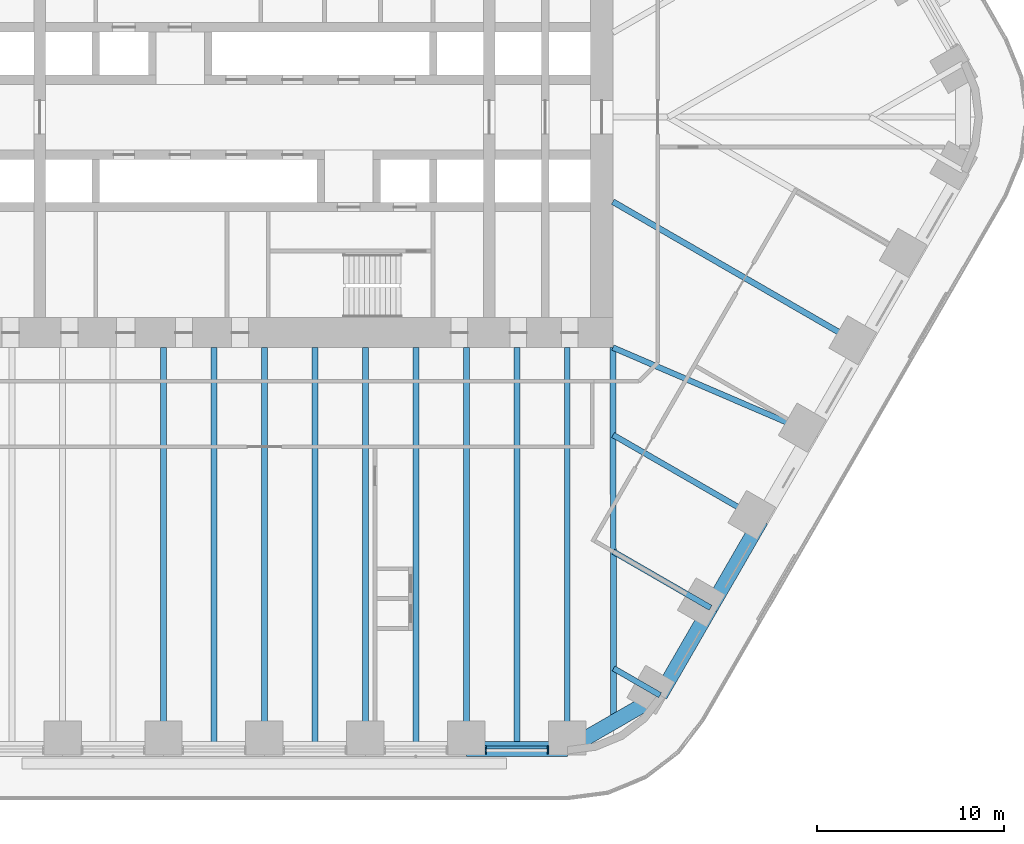
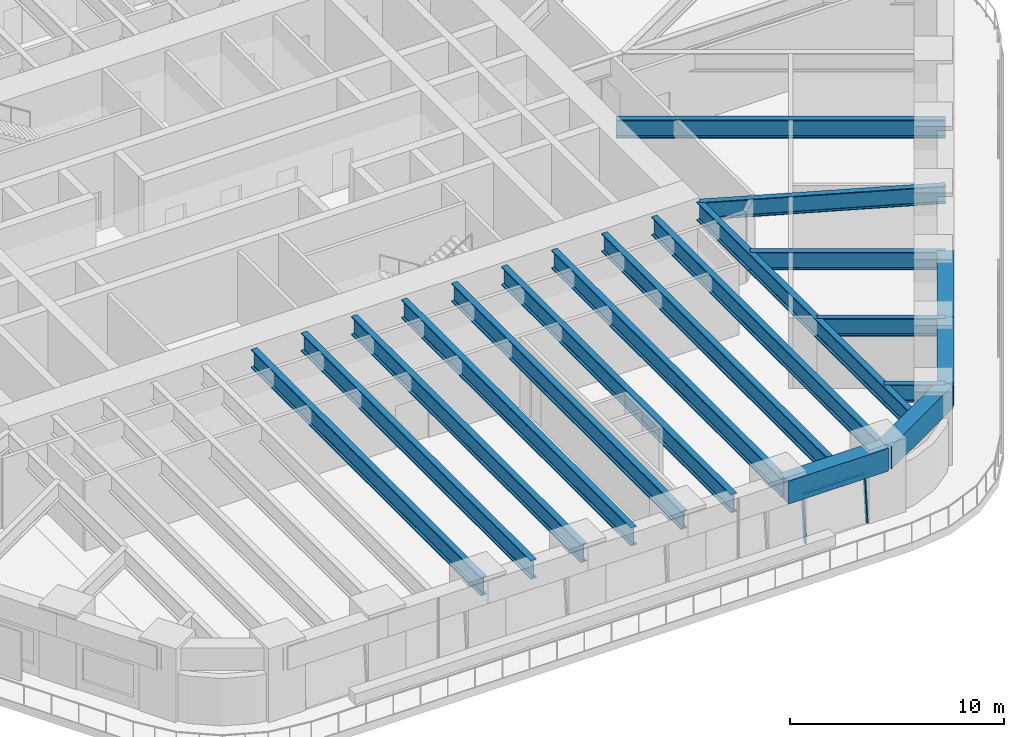
# One storey, part 5 of 23: 19 beams, 3 members, 1 element without a shape of its own.
"""IFC4 building model written with IfcOpenShell, lengths in metres."""

import ifcopenshell
import ifcopenshell.guid

model = None  # the IFC model being written
_history = None  # IfcOwnerHistory: only IFC2X3 demands one
_inside = {}  # id of a spatial element -> (the spatial element, [elements in it])
_under = {}  # id of a project, library or spatial element -> (it, [spatial elements below it])
_declared = {}  # id of a project -> (the project, [libraries it declares])
_typed = {}  # id of a type object -> (the type object, [elements of that type])
_made_of = {}  # id of a material, layer set ... -> (it, [elements and type objects made of it])


def new_model(schema):
    """Start an empty IFC model of exactly this schema.

    Asked for "IFC4X3", IfcOpenShell would pick the latest addendum, in which some entities
    have other attributes; the version numbers below select the first issue.
    IFC2X3 requires an IfcOwnerHistory on every rooted entity: one is made here for all.
    """
    global model, _history
    if schema == "IFC4X3":
        model = ifcopenshell.file(schema_version=(4, 3, 0, 0))
    else:
        model = ifcopenshell.file(schema=schema)
    _inside.clear()
    _under.clear()
    _declared.clear()
    _typed.clear()
    _made_of.clear()
    _history = None
    if model.schema == "IFC2X3":
        org = make("IfcOrganization", Name="unknown")
        user = make(
            "IfcPersonAndOrganization",
            ThePerson=make("IfcPerson", FamilyName="unknown"),
            TheOrganization=org,
        )
        app = make(
            "IfcApplication",
            ApplicationDeveloper=org,
            Version="unknown",
            ApplicationFullName="unknown",
            ApplicationIdentifier="unknown",
        )
        _history = make(
            "IfcOwnerHistory",
            OwningUser=user,
            OwningApplication=app,
            ChangeAction="ADDED",
            CreationDate=0,
        )
    return model


def make(cls, **values):
    """One entity of the class cls with the attributes given. An attribute that is None is left unset."""
    return model.create_entity(
        cls, **{name: value for name, value in values.items() if value is not None}
    )


def rooted(cls, **values):
    """An entity with a GlobalId (a new one), such as an element, a storey or a relation."""
    return make(cls, GlobalId=ifcopenshell.guid.new(), OwnerHistory=_history, **values)


def si_unit(unit_type, name, prefix=None):
    """IfcSIUnit, for example si_unit("LENGTHUNIT", "METRE", prefix="MILLI")."""
    return make("IfcSIUnit", UnitType=unit_type, Prefix=prefix, Name=name)


def assignment(units):
    """IfcUnitAssignment: the units of a project."""
    return None if units is None else make("IfcUnitAssignment", Units=units)


def point(xyz):
    """IfcCartesianPoint."""
    return None if xyz is None else make("IfcCartesianPoint", Coordinates=xyz)


def direction(xyz):
    """IfcDirection."""
    return None if xyz is None else make("IfcDirection", DirectionRatios=xyz)


def frame(location, z_axis=None, x_axis=None):
    """IfcAxis2Placement3D, a coordinate frame: its origin and axes. An axis left out is left unset."""
    return make(
        "IfcAxis2Placement3D",
        Location=point(location),
        Axis=direction(z_axis),
        RefDirection=direction(x_axis),
    )


def frame_2d(location, x_axis=None):
    """IfcAxis2Placement2D, a coordinate frame in the plane: its origin and x axis."""
    return make(
        "IfcAxis2Placement2D", Location=point(location), RefDirection=direction(x_axis)
    )


def origin():
    """The frame at (0, 0, 0) with its axes left unset."""
    return frame((0.0, 0.0, 0.0))


def origin_2d():
    """The frame at (0, 0) in the plane with its x axis left unset."""
    return frame_2d((0.0, 0.0))


def place(relative_to, where):
    """IfcLocalPlacement: puts the frame where relative to a parent placement (None: the world)."""
    return make(
        "IfcLocalPlacement", PlacementRelTo=relative_to, RelativePlacement=where
    )


def context(
    kind, dimensions, precision=None, world=None, true_north=None, identifier=None
):
    """IfcGeometricRepresentationContext, for example the 3D "Model" context."""
    return make(
        "IfcGeometricRepresentationContext",
        ContextIdentifier=identifier,
        ContextType=kind,
        CoordinateSpaceDimension=dimensions,
        Precision=precision,
        WorldCoordinateSystem=world,
        TrueNorth=true_north,
    )


def subcontext(parent, identifier, kind, view, scale=None):
    """IfcGeometricRepresentationSubContext, for example "Body" below "Model"."""
    return make(
        "IfcGeometricRepresentationSubContext",
        ContextIdentifier=identifier,
        ContextType=kind,
        ParentContext=parent,
        TargetScale=scale,
        TargetView=view,
    )


def project(units=None, contexts=None):
    """IfcProject with its units and contexts."""
    return rooted(
        "IfcProject",
        Name="project",
        RepresentationContexts=contexts,
        UnitsInContext=assignment(units),
    )


def spatial(cls, under=None, at=None, **own):
    """A site, building, storey or space (cls), placed at a placement, below another one or the project."""
    s = rooted(cls, ObjectPlacement=at, **own)
    if under is not None:
        _under.setdefault(under.id(), (under, []))[1].append(s)
    return s


def profile(cls, at=None, kind="AREA", **sizes):
    """A parametric profile (cls). Its sizes go by their IFC names, for example OverallWidth=200.0."""
    return make(cls, ProfileType=kind, Position=at, **sizes)


def rectangle(**sizes):
    """IfcRectangleProfileDef."""
    return profile("IfcRectangleProfileDef", **sizes)


def i_section(**sizes):
    """IfcIShapeProfileDef."""
    return profile("IfcIShapeProfileDef", **sizes)


def extrude(swept, where, along, depth):
    """IfcExtrudedAreaSolid: the profile swept, set in the frame where, extruded along a direction by depth."""
    return make(
        "IfcExtrudedAreaSolid",
        SweptArea=swept,
        Position=where,
        ExtrudedDirection=direction(along),
        Depth=depth,
    )


def shape(context_of_items, identifier, shape_type, items):
    """IfcShapeRepresentation: the items that make up one representation, for example the "Body"."""
    return make(
        "IfcShapeRepresentation",
        ContextOfItems=context_of_items,
        RepresentationIdentifier=identifier,
        RepresentationType=shape_type,
        Items=items,
    )


def material(Name=None, Category=None):
    """IfcMaterial."""
    return make("IfcMaterial", Name=Name, Category=Category)


def material_profile(
    of_material, cross_section, Name=None, Category=None, Priority=None
):
    """IfcMaterialProfile: a cross section and its material."""
    return make(
        "IfcMaterialProfile",
        Name=Name,
        Material=of_material,
        Profile=cross_section,
        Priority=Priority,
        Category=Category,
    )


def profile_set(profiles, Name=None, composite=None):
    """IfcMaterialProfileSet."""
    return make(
        "IfcMaterialProfileSet",
        Name=Name,
        MaterialProfiles=profiles,
        CompositeProfile=composite,
    )


def made_of(thing, what):
    """Note that an element or type object is made of a material, layer set ...; save() writes the relation."""
    if what is not None:
        _made_of.setdefault(what.id(), (what, []))[1].append(thing)
    return thing


def type_object(cls, material=None, **own):
    """A type object (cls), such as IfcWallType, which elements share."""
    return made_of(rooted(cls, **own), material)


def element(
    cls,
    number,
    at=None,
    inside=None,
    cuts=None,
    type_object=None,
    material=None,
    context=None,
    identifier="Body",
    shape_type=None,
    held_by="IfcProductDefinitionShape",
    body=None,
    shapes=None,
    **own,
):
    """One element of the class cls, such as IfcWall. Its Tag is "e" and its number.

    at: its placement. inside: the storey or other place that contains it. cuts: it is an
    opening in that element (IfcRelVoidsElement). A single representation is given by context,
    identifier, shape_type and body (its items); several are given by shapes. held_by: the class
    of the entity that holds the representations. save() writes the other relations.
    """
    e = rooted(cls, Tag="e%d" % number, ObjectPlacement=at, **own)
    if body is not None:
        shapes = [shape(context, identifier, shape_type, body)]
    if shapes is not None:
        e.Representation = make(held_by, Representations=shapes)
    if inside is not None:
        _inside.setdefault(inside.id(), (inside, []))[1].append(e)
    if cuts is not None:
        rooted(
            "IfcRelVoidsElement", RelatingBuildingElement=cuts, RelatedOpeningElement=e
        )
    if type_object is not None:
        _typed.setdefault(type_object.id(), (type_object, []))[1].append(e)
    return made_of(e, material)


def aggregate(whole, parts):
    """IfcRelAggregates: a whole, such as a stair, and the parts it consists of."""
    return rooted("IfcRelAggregates", RelatingObject=whole, RelatedObjects=parts)


def save(model, path):
    """Write the relations noted so far, then the file.

    IfcRelAggregates (storeys below a building ...), IfcRelContainedInSpatialStructure (elements
    in a storey), IfcRelDefinesByType, IfcRelAssociatesMaterial and IfcRelDeclares: one each for
    every whole, place, type object, material and project.
    """
    for whole, parts in _under.values():
        aggregate(whole, parts)
    for where, things in _inside.values():
        rooted(
            "IfcRelContainedInSpatialStructure",
            RelatedElements=things,
            RelatingStructure=where,
        )
    for kind, things in _typed.values():
        rooted("IfcRelDefinesByType", RelatedObjects=things, RelatingType=kind)
    for what, things in _made_of.values():
        rooted("IfcRelAssociatesMaterial", RelatedObjects=things, RelatingMaterial=what)
    for by, libraries in _declared.values():
        rooted("IfcRelDeclares", RelatingContext=by, RelatedDefinitions=libraries)
    model.write(path)


model = new_model("IFC4")

# Units and contexts
model_context = context("Model", 3, precision=1e-05, world=origin(), true_north=direction((0.0, 1.0)))
body_context = subcontext(model_context, "Body", "Model", "MODEL_VIEW")
ifc_project = project(units=[si_unit("LENGTHUNIT", "METRE"), si_unit("AREAUNIT", "SQUARE_METRE"), si_unit("VOLUMEUNIT", "CUBIC_METRE"), si_unit("PLANEANGLEUNIT", "RADIAN"), si_unit("MASSUNIT", "GRAM", prefix="KILO")], contexts=[model_context])

# Site, building, storey
site_placement = place(None, origin())
site = spatial("IfcSite", under=ifc_project, at=site_placement, CompositionType="ELEMENT")
building_placement = place(site_placement, origin())
building = spatial("IfcBuilding", under=site, at=building_placement, Name="Tarfa Lantern Tower", CompositionType="ELEMENT")
storey_placement = place(building_placement, frame((0.0, 0.0, 52.89990234375)))
storey = spatial("IfcBuildingStorey", under=building, at=storey_placement, Name="L11", CompositionType="ELEMENT", Elevation=52.89990234375)

# Curtain wall, members
ifc_material_1 = material(Name="Aluminium framed curtain wall", Category="aluminium")
curtain_wall_type = type_object("IfcCurtainWallType", Name="CW1 CANTED GLAZING LOW ZONE 2700", PredefinedType="USERDEFINED", material=ifc_material_1)
curtain_wall_placement = place(storey_placement, origin())
curtain_wall = element("IfcCurtainWall", 1, at=curtain_wall_placement, inside=storey, type_object=curtain_wall_type, Name="CW1 S L11", ObjectType="CURTAIN WALL", PredefinedType="USERDEFINED")
ifc_material_2 = material(Name="Aluminium mullion", Category="aluminium")
ifc_material_profile_1 = material_profile(ifc_material_2, rectangle(XDim=0.06494140625, YDim=0.199951171875, at=origin_2d()), Name="AL MULLION 65x200")
ifc_profile_set_1 = profile_set([ifc_material_profile_1], Name="Aluminium mullion")
member_type_1 = type_object("IfcMemberType", Name="CWM1 MULLION 65x200", PredefinedType="MULLION", material=ifc_profile_set_1)
member_1_placement = place(storey_placement, frame((11.809814453125, -33.89990234375, 0.0), z_axis=(0.0, 0.092191598296, 0.995741286281), x_axis=(-1.0, 0.0, 0.0)))
member_1 = element("IfcMember", 2, at=member_1_placement, type_object=member_type_1, Name="CW1 mullion 1", PredefinedType="MULLION", context=body_context, shape_type="SweptSolid", body=[
    extrude(rectangle(XDim=0.06494140625, YDim=0.199951171875, at=origin_2d()), origin(), (0.0, 0.0, 1.0), 2.711669921875),
])
member_2_placement = place(storey_placement, frame((15.13330078125, -33.89990234375, 0.0), z_axis=(0.0, 0.092191598296, 0.995741286281), x_axis=(-1.0, 0.0, 0.0)))
member_2 = element("IfcMember", 3, at=member_2_placement, type_object=member_type_1, Name="CW1 mullion 2", PredefinedType="MULLION", context=body_context, shape_type="SweptSolid", body=[
    extrude(rectangle(XDim=0.06494140625, YDim=0.199951171875, at=origin_2d()), origin(), (0.0, 0.0, 1.0), 2.711669921875),
])
ifc_material_3 = material(Name="Aluminium transom", Category="aluminium")
ifc_material_profile_2 = material_profile(ifc_material_3, rectangle(XDim=0.14990234375, YDim=0.06494140625, at=origin_2d()), Name="AL TRANSOM 150x65")
ifc_profile_set_2 = profile_set([ifc_material_profile_2], Name="Aluminium transom")
member_type_2 = type_object("IfcMemberType", Name="CWT1 TRANSOM 150x65", PredefinedType="USERDEFINED", material=ifc_profile_set_2)
member_3_placement = place(storey_placement, frame((11.84228515625, -33.653076171875, 2.66748046875), z_axis=(1.0, 0.0, 0.0), x_axis=(0.0, 1.0, 0.0)))
member_3 = element("IfcMember", 4, at=member_3_placement, type_object=member_type_2, Name="CW1 transom 1.2", ObjectType="TRANSOM", PredefinedType="USERDEFINED", context=body_context, shape_type="SweptSolid", body=[
    extrude(rectangle(XDim=0.14990234375, YDim=0.06494140625, at=origin_2d()), origin(), (0.0, 0.0, 1.0), 3.258544921875),
])
aggregate(curtain_wall, [member_1, member_2, member_3])

# Beams
ifc_material_4 = material(Name="Concrete C80/95", Category="concrete")
ifc_material_profile_3 = material_profile(ifc_material_4, rectangle(XDim=0.800048828125, YDim=1.300048828125, at=origin_2d()), Name="RC 800x1300")
ifc_profile_set_3 = profile_set([ifc_material_profile_3], Name="Concrete C80/95")
beam_type_1 = type_object("IfcBeamType", Name="EB1 RC 800x1300", PredefinedType="SPANDREL", material=ifc_profile_set_3)
beam_1_placement = place(storey_placement, frame((10.777099609375, -33.719970703125, 3.35009765625), z_axis=(1.0, 0.0, 0.0), x_axis=(0.0, 1.0, 0.0)))
element("IfcBeam", 5, at=beam_1_placement, inside=storey, type_object=beam_type_1, Name="Edge beam S5", PredefinedType="SPANDREL", context=body_context, shape_type="SweptSolid", body=[
    extrude(rectangle(XDim=0.800048828125, YDim=1.300048828125, at=origin_2d()), origin(), (0.0, 0.0, 1.0), 5.388671875),
])
beam_2_placement = place(storey_placement, frame((16.165771484375, -33.719970703125, 3.35009765625), z_axis=(0.866033479681, 0.499986011877, 0.0), x_axis=(-0.499986011877, 0.866033479681, 0.0)))
element("IfcBeam", 6, at=beam_2_placement, inside=storey, type_object=beam_type_1, Name="Edge beam S6", PredefinedType="SPANDREL", context=body_context, shape_type="SweptSolid", body=[
    extrude(rectangle(XDim=0.800048828125, YDim=1.300048828125, at=origin_2d()), origin(), (0.0, 0.0, 1.0), 5.719970703125),
])
for number, where, z_axis, x_axis, name in (
    (7, (21.119384765625, -30.860107421875, 3.35009765625), (0.499998287579, 0.866026392449, 0.0), (-0.866026392449, 0.499998287579, 0.0), "Edge beam SE0"),
    (8, (23.813720703125, -26.193359375, 3.35009765625), (0.499998287579, 0.866026392449, 0.0), (-0.866026392449, 0.499998287579, 0.0), "Edge beam SE1"),
):
    element("IfcBeam", number, at=place(storey_placement, frame(where, z_axis=z_axis, x_axis=x_axis)), inside=storey, type_object=beam_type_1, Name=name, PredefinedType="SPANDREL", context=body_context, shape_type="SweptSolid", body=[
        extrude(rectangle(XDim=0.800048828125, YDim=1.300048828125, at=origin_2d()), origin(), (0.0, 0.0, 1.0), 5.388671875),
    ])
ifc_material_5 = material(Name="Steel S460M", Category="steel")
ifc_material_profile_4 = material_profile(ifc_material_5, i_section(OverallWidth=0.302001953125, OverallDepth=1.008056640625, WebThickness=0.02099609375, FlangeThickness=0.0400390625, FilletRadius=0.030029296875, at=origin_2d()), Name="UB1016x305x349")
ifc_profile_set_4 = profile_set([ifc_material_profile_4], Name="Steel S460M")
beam_type_2 = type_object("IfcBeamType", Name="UB1016x305x349", PredefinedType="BEAM", material=ifc_profile_set_4)
beam_3_placement = place(storey_placement, frame((21.119384765625, -30.860107421875, 3.49609375), z_axis=(-0.866012580594, 0.500022209759, 0.0), x_axis=(-0.500022209759, -0.866012580594, 0.0)))
element("IfcBeam", 9, at=beam_3_placement, inside=storey, type_object=beam_type_2, Name="Floor beam SE0", PredefinedType="BEAM", context=body_context, shape_type="SweptSolid", body=[
    extrude(i_section(OverallWidth=0.302001953125, OverallDepth=1.008056640625, WebThickness=0.02099609375, FlangeThickness=0.0400390625, FilletRadius=0.030029296875, at=origin_2d()), origin(), (0.0, 0.0, 1.0), 2.866943359375),
])
beam_4_placement = place(storey_placement, frame((23.813720703125, -26.193359375, 3.49609375), z_axis=(-0.866015997389, 0.500016292001, 0.0), x_axis=(-0.500016292001, -0.866015997389, 0.0)))
element("IfcBeam", 10, at=beam_4_placement, inside=storey, type_object=beam_type_2, Name="Floor beam SE1", PredefinedType="BEAM", context=body_context, shape_type="SweptSolid", body=[
    extrude(i_section(OverallWidth=0.302001953125, OverallDepth=1.008056640625, WebThickness=0.02099609375, FlangeThickness=0.0400390625, FilletRadius=0.030029296875, at=origin_2d()), origin(), (0.0, 0.0, 1.0), 5.993408203125),
])
beam_5_placement = place(storey_placement, frame((26.508056640625, -21.526611328125, 3.49609375), z_axis=(-0.866035355799, 0.49998276221, 0.0), x_axis=(-0.49998276221, -0.866035355799, 0.0)))
element("IfcBeam", 11, at=beam_5_placement, inside=storey, type_object=beam_type_2, Name="Floor beam SE2", PredefinedType="BEAM", context=body_context, shape_type="SweptSolid", body=[
    extrude(i_section(OverallWidth=0.302001953125, OverallDepth=1.008056640625, WebThickness=0.02099609375, FlangeThickness=0.0400390625, FilletRadius=0.030029296875, at=origin_2d()), origin(), (0.0, 0.0, 1.0), 9.119873046875),
])
beam_6_placement = place(storey_placement, frame((29.202392578125, -16.860107421875, 3.49609375), z_axis=(-0.918635483867, 0.395106122175, 0.0), x_axis=(-0.395106122175, -0.918635483867, 0.0)))
element("IfcBeam", 12, at=beam_6_placement, inside=storey, type_object=beam_type_2, Name="Floor beam SE3", PredefinedType="BEAM", context=body_context, shape_type="SweptSolid", body=[
    extrude(i_section(OverallWidth=0.302001953125, OverallDepth=1.008056640625, WebThickness=0.02099609375, FlangeThickness=0.0400390625, FilletRadius=0.030029296875, at=origin_2d()), origin(), (0.0, 0.0, 1.0), 11.541259765625),
])
ifc_material_profile_5 = material_profile(ifc_material_5, i_section(OverallWidth=0.314208984375, OverallDepth=1.055908203125, WebThickness=0.035888671875, FlangeThickness=0.06396484375, FilletRadius=0.030029296875, at=origin_2d()), Name="UB1016x305x584")
ifc_profile_set_5 = profile_set([ifc_material_profile_5], Name="Steel S460M")
beam_type_3 = type_object("IfcBeamType", Name="UB1016x305x584", PredefinedType="BEAM", material=ifc_profile_set_5)
beam_7_placement = place(storey_placement, frame((18.60009765625, -12.300048828125, 3.47216796875), z_axis=(0.00212508222, -0.99999774201, 0.0), x_axis=(0.99999774201, 0.00212508222, 0.0)))
element("IfcBeam", 13, at=beam_7_placement, inside=storey, type_object=beam_type_3, Name="Hip girder SE", PredefinedType="BEAM", context=body_context, shape_type="SweptSolid", body=[
    extrude(i_section(OverallWidth=0.314208984375, OverallDepth=1.055908203125, WebThickness=0.035888671875, FlangeThickness=0.06396484375, FilletRadius=0.030029296875, at=origin_2d()), origin(), (0.0, 0.0, 1.0), 19.989990234375),
])
for number, where, z_axis, x_axis, name in (
    (14, (-5.388671875, -33.719970703125, 3.47216796875), (0.0, 1.0, 0.0), (-1.0, 0.0, 0.0), "Floor beam S2"),
    (15, (0.0, -33.719970703125, 3.47216796875), (0.0, 1.0, 0.0), (-1.0, 0.0, 0.0), "Floor beam S3"),
    (16, (5.388671875, -33.719970703125, 3.47216796875), (0.0, 1.0, 0.0), (-1.0, 0.0, 0.0), "Floor beam S4"),
    (17, (10.777099609375, -33.719970703125, 3.47216796875), (0.0, 1.0, 0.0), (-1.0, 0.0, 0.0), "Floor beam S5"),
    (18, (16.165771484375, -33.719970703125, 3.47216796875), (0.0, 1.0, 0.0), (-1.0, 0.0, 0.0), "Floor beam S6"),
):
    element("IfcBeam", number, at=place(storey_placement, frame(where, z_axis=z_axis, x_axis=x_axis)), inside=storey, type_object=beam_type_3, Name=name, PredefinedType="BEAM", context=body_context, shape_type="SweptSolid", body=[
        extrude(i_section(OverallWidth=0.314208984375, OverallDepth=1.055908203125, WebThickness=0.035888671875, FlangeThickness=0.06396484375, FilletRadius=0.030029296875, at=origin_2d()), origin(), (0.0, 0.0, 1.0), 21.419921875),
    ])
beam_8_placement = place(storey_placement, frame((31.896728515625, -12.193359375, 3.47216796875), z_axis=(-0.866026971665, 0.499997284341, 0.0), x_axis=(-0.499997284341, -0.866026971665, 0.0)))
element("IfcBeam", 19, at=beam_8_placement, inside=storey, type_object=beam_type_3, Name="Floor beam SE4", PredefinedType="BEAM", context=body_context, shape_type="SweptSolid", body=[
    extrude(i_section(OverallWidth=0.314208984375, OverallDepth=1.055908203125, WebThickness=0.035888671875, FlangeThickness=0.06396484375, FilletRadius=0.030029296875, at=origin_2d()), origin(), (0.0, 0.0, 1.0), 15.353515625),
])
for number, where, z_axis, x_axis, name in (
    (20, (-2.6943359375, -33.719970703125, 3.47216796875), (0.0, 1.0, 0.0), (-1.0, 0.0, 0.0), "Floor beam S2M"),
    (21, (2.6943359375, -33.719970703125, 3.47216796875), (0.0, 1.0, 0.0), (-1.0, 0.0, 0.0), "Floor beam S3M"),
    (22, (8.0830078125, -33.719970703125, 3.47216796875), (0.0, 1.0, 0.0), (-1.0, 0.0, 0.0), "Floor beam S4M"),
    (23, (13.471435546875, -33.719970703125, 3.47216796875), (0.0, 1.0, 0.0), (-1.0, 0.0, 0.0), "Floor beam S5M"),
):
    element("IfcBeam", number, at=place(storey_placement, frame(where, z_axis=z_axis, x_axis=x_axis)), inside=storey, type_object=beam_type_3, Name=name, PredefinedType="BEAM", context=body_context, shape_type="SweptSolid", body=[
        extrude(i_section(OverallWidth=0.314208984375, OverallDepth=1.055908203125, WebThickness=0.035888671875, FlangeThickness=0.06396484375, FilletRadius=0.030029296875, at=origin_2d()), origin(), (0.0, 0.0, 1.0), 21.419921875),
    ])

save(model, "model.ifc")
